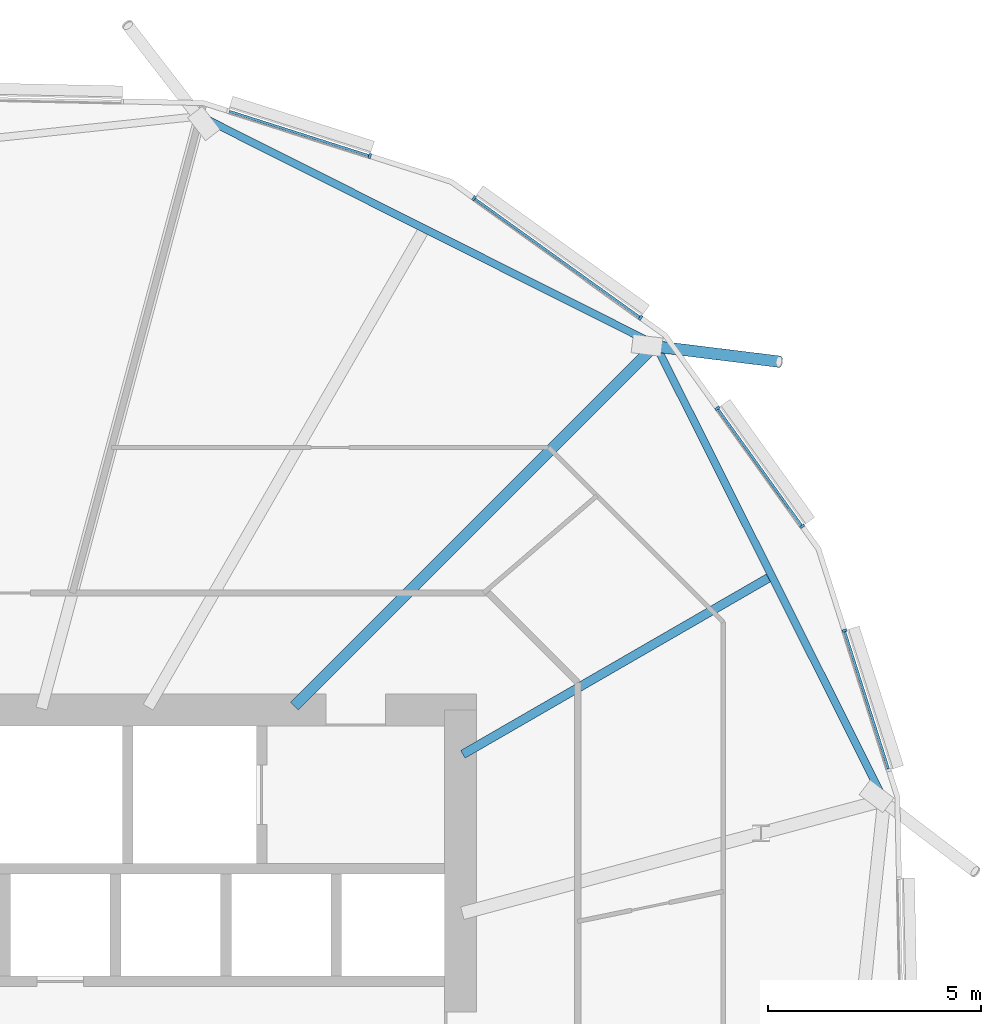
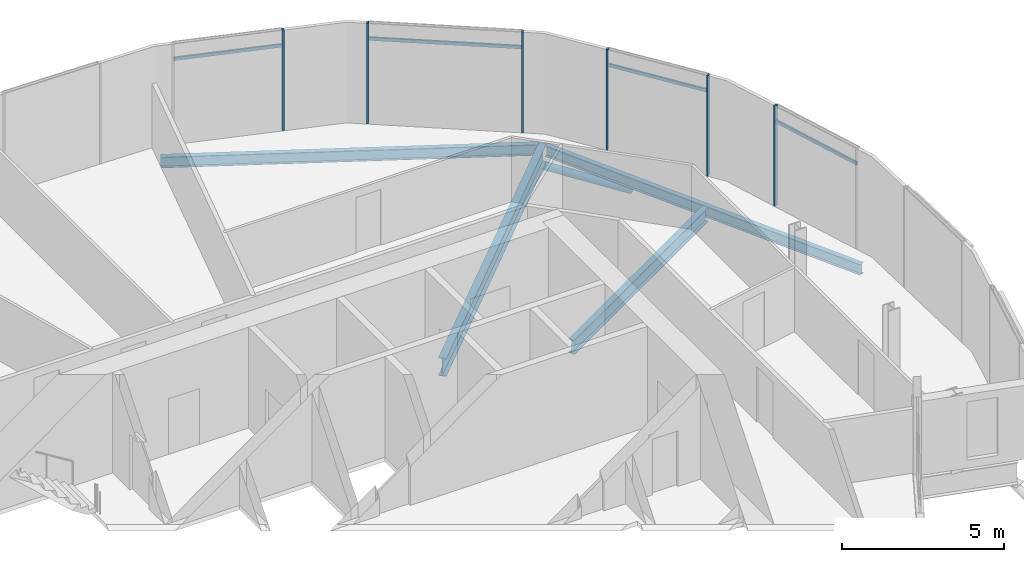
# One storey, part 19 of 42: 11 members, 4 beams, 1 element without a shape of its own.
"""IFC4 building model written with IfcOpenShell, lengths in metres."""

from ifc_helpers import new_model, si_unit, direction, frame, origin, origin_2d, place, context, subcontext, project, spatial, rectangle, hollow_circle, i_section, extrude, clip, halfspace, material, material_profile, profile_set, type_object, element, aggregate, save


model = new_model("IFC4")

# Units and contexts
model_context = context("Model", 3, precision=1e-05, world=origin(), true_north=direction((0.0, 1.0)))
body_context = subcontext(model_context, "Body", "Model", "MODEL_VIEW")
ifc_project = project(units=[si_unit("LENGTHUNIT", "METRE"), si_unit("AREAUNIT", "SQUARE_METRE"), si_unit("VOLUMEUNIT", "CUBIC_METRE"), si_unit("PLANEANGLEUNIT", "RADIAN"), si_unit("MASSUNIT", "GRAM", prefix="KILO")], contexts=[model_context])

# Site, building, storey
site_placement = place(None, origin())
site = spatial("IfcSite", under=ifc_project, at=site_placement, CompositionType="ELEMENT")
building_placement = place(site_placement, origin())
building = spatial("IfcBuilding", under=site, at=building_placement, Name="Rimbun Link Towers", CompositionType="ELEMENT")
storey_placement = place(building_placement, frame((0.0, 0.0, 85.39990234375)))
storey = spatial("IfcBuildingStorey", under=building, at=storey_placement, Name="L20", CompositionType="ELEMENT", Elevation=85.39990234375)

# Curtain wall, members
ifc_material_1 = material(Name="Aluminium 6063-T6 and low-iron glass", Category="aluminium")
curtain_wall_type = type_object("IfcCurtainWallType", Name="CW1-Z2 unitised vision wall (zone 2)", PredefinedType="NOTDEFINED", material=ifc_material_1)
curtain_wall_placement = place(storey_placement, origin())
curtain_wall = element("IfcCurtainWall", 1, at=curtain_wall_placement, inside=storey, type_object=curtain_wall_type, Name="CW1 L20 T2", PredefinedType="NOTDEFINED")
ifc_material_2 = material(Name="Aluminium 6063-T6", Category="aluminium")
ifc_material_profile_1 = material_profile(ifc_material_2, rectangle(XDim=0.1201171875, YDim=0.06005859375, at=origin_2d()), Name="MULLION 60X120")
ifc_profile_set_1 = profile_set([ifc_material_profile_1], Name="Aluminium 6063-T6")
member_type_1 = type_object("IfcMemberType", Name="CW1 mullion 60X120", PredefinedType="MULLION", material=ifc_profile_set_1)
member_1_placement = place(storey_placement, frame((44.06640625, 20.027099609375, 0.0), z_axis=(0.0, 0.0, 1.0), x_axis=(0.583004243446, 0.812469108412, 0.0)))
member_1 = element("IfcMember", 2, at=member_1_placement, type_object=member_type_1, Name="CW1 mullion", PredefinedType="MULLION", context=body_context, shape_type="SweptSolid", body=[
    extrude(rectangle(XDim=0.1201171875, YDim=0.06005859375, at=origin_2d()), origin(), (0.0, 0.0, 1.0), 3.800048828125),
])
member_2_placement = place(storey_placement, frame((47.978759765625, 17.219482421875, 0.0), z_axis=(0.0, 0.0, 1.0), x_axis=(0.583004243446, 0.812469108412, 0.0)))
member_2 = element("IfcMember", 3, at=member_2_placement, type_object=member_type_1, Name="CW1 mullion", PredefinedType="MULLION", context=body_context, shape_type="SweptSolid", body=[
    extrude(rectangle(XDim=0.1201171875, YDim=0.06005859375, at=origin_2d()), origin(), (0.0, 0.0, 1.0), 3.800048828125),
])
member_3_placement = place(storey_placement, frame((41.615478515625, 21.0205078125, 0.0), z_axis=(0.0, 0.0, 1.0), x_axis=(0.303070142328, 0.952968251743, 0.0)))
member_3 = element("IfcMember", 4, at=member_3_placement, type_object=member_type_1, Name="CW1 mullion", PredefinedType="MULLION", context=body_context, shape_type="SweptSolid", body=[
    extrude(rectangle(XDim=0.1201171875, YDim=0.06005859375, at=origin_2d()), origin(), (0.0, 0.0, 1.0), 3.800048828125),
])
member_4_placement = place(storey_placement, frame((52.7705078125, 9.865478515625, 0.0), z_axis=(0.0, 0.0, 1.0), x_axis=(0.952968251743, 0.303070142328, 0.0)))
member_4 = element("IfcMember", 5, at=member_4_placement, type_object=member_type_1, Name="CW1 mullion", PredefinedType="MULLION", context=body_context, shape_type="SweptSolid", body=[
    extrude(rectangle(XDim=0.1201171875, YDim=0.06005859375, at=origin_2d()), origin(), (0.0, 0.0, 1.0), 3.800048828125),
])
member_5_placement = place(storey_placement, frame((49.78564453125, 15.09130859375, 0.0), z_axis=(0.0, 0.0, 1.0), x_axis=(0.812469108412, 0.583004243446, 0.0)))
member_5 = element("IfcMember", 6, at=member_5_placement, type_object=member_type_1, Name="CW1 mullion", PredefinedType="MULLION", context=body_context, shape_type="SweptSolid", body=[
    extrude(rectangle(XDim=0.1201171875, YDim=0.06005859375, at=origin_2d()), origin(), (0.0, 0.0, 1.0), 3.800048828125),
])
member_6_placement = place(storey_placement, frame((51.777099609375, 12.31640625, 0.0), z_axis=(0.0, 0.0, 1.0), x_axis=(0.812469108412, 0.583004243446, 0.0)))
member_6 = element("IfcMember", 7, at=member_6_placement, type_object=member_type_1, Name="CW1 mullion", PredefinedType="MULLION", context=body_context, shape_type="SweptSolid", body=[
    extrude(rectangle(XDim=0.1201171875, YDim=0.06005859375, at=origin_2d()), origin(), (0.0, 0.0, 1.0), 3.800048828125),
])
ifc_material_3 = material(Name="Aluminium 6063-T6", Category="aluminium")
ifc_material_profile_2 = material_profile(ifc_material_3, rectangle(XDim=0.06005859375, YDim=0.1201171875, at=origin_2d()), Name="TRANSOM 60X120")
ifc_profile_set_2 = profile_set([ifc_material_profile_2], Name="Aluminium 6063-T6")
member_type_2 = type_object("IfcMemberType", Name="CW1 transom 60X120", PredefinedType="USERDEFINED", material=ifc_profile_set_2)
member_7_placement = place(storey_placement, frame((44.089599609375, 20.0078125, 3.2001953125), z_axis=(0.812475871457, -0.582994818417, 0.0), x_axis=(0.582994818417, 0.812475871457, 0.0)))
member_7 = element("IfcMember", 8, at=member_7_placement, type_object=member_type_2, Name="CW1 transom", ObjectType="TRANSOM", PredefinedType="USERDEFINED", context=body_context, shape_type="SweptSolid", body=[
    extrude(rectangle(XDim=0.06005859375, YDim=0.1201171875, at=origin_2d()), origin(), (0.0, 0.0, 1.0), 4.755615234375),
])
member_8_placement = place(storey_placement, frame((38.317138671875, 22.0673828125, 3.2001953125), z_axis=(0.952955685137, -0.303109653697, 0.0), x_axis=(0.303109653697, 0.952955685137, 0.0)))
member_8 = element("IfcMember", 9, at=member_8_placement, type_object=member_type_2, Name="CW1 transom", ObjectType="TRANSOM", PredefinedType="USERDEFINED", context=body_context, shape_type="SweptSolid", body=[
    extrude(rectangle(XDim=0.06005859375, YDim=0.1201171875, at=origin_2d()), origin(), (0.0, 0.0, 1.0), 3.430419921875),
])
member_9_placement = place(storey_placement, frame((52.777587890625, 9.836181640625, 3.2001953125), z_axis=(0.303132108062, -0.952948542715, 0.0), x_axis=(0.952948542715, 0.303132108062, 0.0)))
member_9 = element("IfcMember", 10, at=member_9_placement, type_object=member_type_2, Name="CW1 transom", ObjectType="TRANSOM", PredefinedType="USERDEFINED", context=body_context, shape_type="SweptSolid", body=[
    extrude(rectangle(XDim=0.06005859375, YDim=0.1201171875, at=origin_2d()), origin(), (0.0, 0.0, 1.0), 3.380126953125),
])
member_10_placement = place(storey_placement, frame((49.801513671875, 15.06591796875, 3.2001953125), z_axis=(0.582998721092, -0.812473071064, 0.0), x_axis=(0.812473071064, 0.582998721092, 0.0)))
member_10 = element("IfcMember", 11, at=member_10_placement, type_object=member_type_2, Name="CW1 transom", ObjectType="TRANSOM", PredefinedType="USERDEFINED", context=body_context, shape_type="SweptSolid", body=[
    extrude(rectangle(XDim=0.06005859375, YDim=0.1201171875, at=origin_2d()), origin(), (0.0, 0.0, 1.0), 3.35546875),
])
aggregate(curtain_wall, [member_1, member_2, member_3, member_4, member_5, member_6, member_7, member_8, member_9, member_10])

# Member
ifc_material_4 = material(Name="Steel S355J2H", Category="steel")
ifc_material_profile_3 = material_profile(ifc_material_4, hollow_circle(Radius=0.136474609375, WallThickness=0.012451171875, at=origin_2d()), Name="CHS 273x12.5")
ifc_profile_set_3 = profile_set([ifc_material_profile_3], Name="Steel S355J2H")
member_type_3 = type_object("IfcMemberType", Name="Floor edge link CHS 273x12.5", PredefinedType="BRACE", material=ifc_profile_set_3)
member_11_placement = place(storey_placement, frame((48.298095703125, 16.548095703125, -0.96142578125), z_axis=(0.857222460633, -0.105680099676, -0.503985485424), x_axis=(0.122355698071, 0.992486313835, 0.0)))
element("IfcMember", 12, at=member_11_placement, inside=storey, type_object=member_type_3, Name="Floor edge link T2 L20 00", PredefinedType="BRACE", context=body_context, shape_type="Clipping", body=[
    clip(extrude(hollow_circle(Radius=0.136474609375, WallThickness=0.012451171875, at=origin_2d()), frame((0.0, 0.0, -0.48779296875)), (0.0, 0.0, 1.0), 3.927490234375), halfspace(frame((0.0, 0.0, -0.230224609375), z_axis=(0.0, 0.863712122458, -0.503985485424)), False)),
])

# Beams
ifc_material_5 = material(Name="Steel S355J2", Category="steel")
ifc_material_profile_4 = material_profile(ifc_material_5, i_section(OverallWidth=0.177978515625, OverallDepth=0.406494140625, WebThickness=0.0078125, FlangeThickness=0.0126953125, at=origin_2d()), Name="UB 406x178x60")
ifc_profile_set_4 = profile_set([ifc_material_profile_4], Name="Steel S355J2")
beam_type_1 = type_object("IfcBeamType", Name="UB 406x178x60", PredefinedType="BEAM", material=ifc_profile_set_4)
beam_1_placement = place(storey_placement, frame((48.213134765625, 16.643798828125, -0.363037109375), z_axis=(-0.893741795777, 0.448581767887, 0.0), x_axis=(-0.448581767887, -0.893741795777, 0.0)))
element("IfcBeam", 13, at=beam_1_placement, inside=storey, type_object=beam_type_1, Name="Edge beam T2 L20 00-02", PredefinedType="BEAM", context=body_context, shape_type="SweptSolid", body=[
    extrude(i_section(OverallWidth=0.177978515625, OverallDepth=0.406494140625, WebThickness=0.0078125, FlangeThickness=0.0126953125, at=origin_2d()), origin(), (0.0, 0.0, 1.0), 11.701416015625),
])
beam_2_placement = place(storey_placement, frame((53.6337890625, 6.02294921875, -0.363037109375), z_axis=(-0.448575753608, 0.893744814404, 0.0), x_axis=(-0.893744814404, -0.448575753608, 0.0)))
element("IfcBeam", 14, at=beam_2_placement, inside=storey, type_object=beam_type_1, Name="Edge beam T2 L20 22-00", PredefinedType="BEAM", context=body_context, shape_type="SweptSolid", body=[
    extrude(i_section(OverallWidth=0.177978515625, OverallDepth=0.406494140625, WebThickness=0.0078125, FlangeThickness=0.0126953125, at=origin_2d()), origin(), (0.0, 0.0, 1.0), 11.681396484375),
])
ifc_material_6 = material(Name="Steel S355J2", Category="steel")
ifc_material_profile_5 = material_profile(ifc_material_6, i_section(OverallWidth=0.209228515625, OverallDepth=0.533203125, WebThickness=0.010009765625, FlangeThickness=0.015625, at=origin_2d()), Name="UB 533x210x92")
ifc_profile_set_5 = profile_set([ifc_material_profile_5], Name="Steel S355J2")
beam_type_2 = type_object("IfcBeamType", Name="UB 533x210x92", PredefinedType="BEAM", material=ifc_profile_set_5)
beam_3_placement = place(storey_placement, frame((43.80322265625, 6.958984375, -0.426513671875), z_axis=(0.866021791448, 0.500006256699, 0.0), x_axis=(-0.500006256699, 0.866021791448, 0.0)))
element("IfcBeam", 15, at=beam_3_placement, inside=storey, type_object=beam_type_2, Name="Radial beam T2 L20 23", PredefinedType="BEAM", context=body_context, shape_type="SweptSolid", body=[
    extrude(i_section(OverallWidth=0.209228515625, OverallDepth=0.533203125, WebThickness=0.010009765625, FlangeThickness=0.015625, at=origin_2d()), origin(), (0.0, 0.0, 1.0), 8.29052734375),
])
ifc_material_7 = material(Name="Steel S355J2", Category="steel")
ifc_material_profile_6 = material_profile(ifc_material_7, i_section(OverallWidth=0.253662109375, OverallDepth=0.68359375, WebThickness=0.012451171875, FlangeThickness=0.01904296875, at=origin_2d()), Name="UB 686x254x140")
ifc_profile_set_6 = profile_set([ifc_material_profile_6], Name="Steel S355J2")
beam_type_3 = type_object("IfcBeamType", Name="UB 686x254x140", PredefinedType="BEAM", material=ifc_profile_set_6)
beam_4_placement = place(storey_placement, frame((39.84033203125, 8.09033203125, -0.501708984375), z_axis=(0.707106781187, 0.707106781187, 0.0), x_axis=(-0.707106781187, 0.707106781187, 0.0)))
element("IfcBeam", 16, at=beam_4_placement, inside=storey, type_object=beam_type_3, Name="Radial beam T2 L20 00", PredefinedType="BEAM", context=body_context, shape_type="SweptSolid", body=[
    extrude(i_section(OverallWidth=0.253662109375, OverallDepth=0.68359375, WebThickness=0.012451171875, FlangeThickness=0.01904296875, at=origin_2d()), origin(), (0.0, 0.0, 1.0), 12.01123046875),
])

save(model, "model.ifc")
